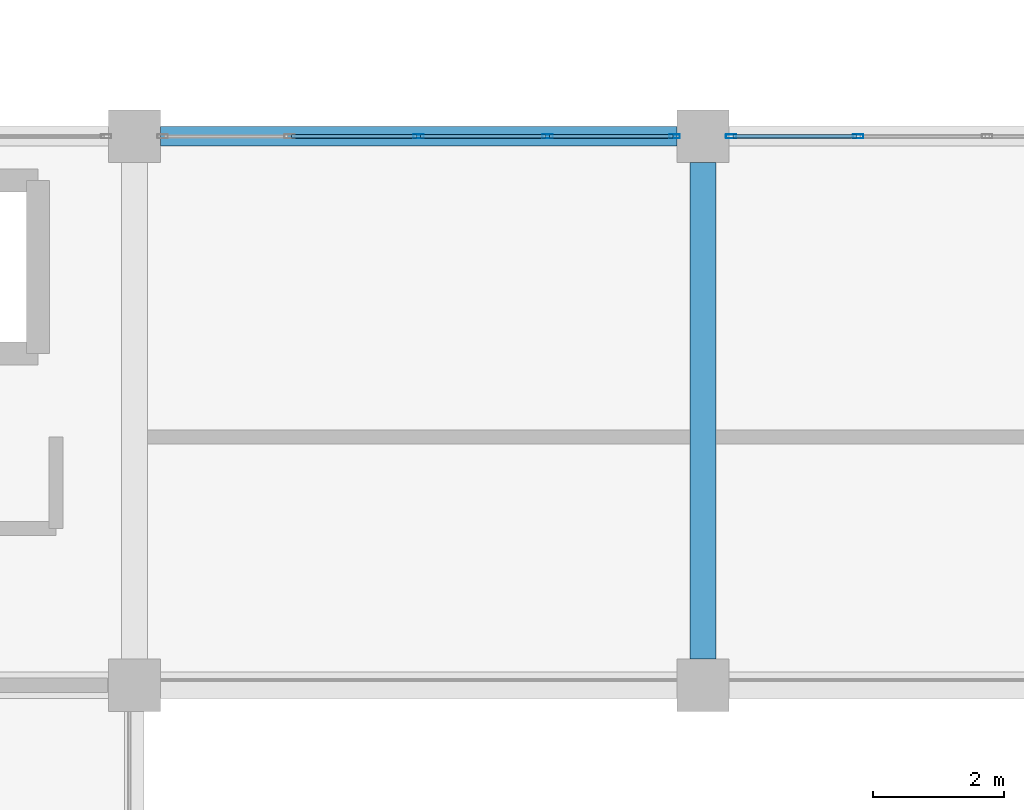
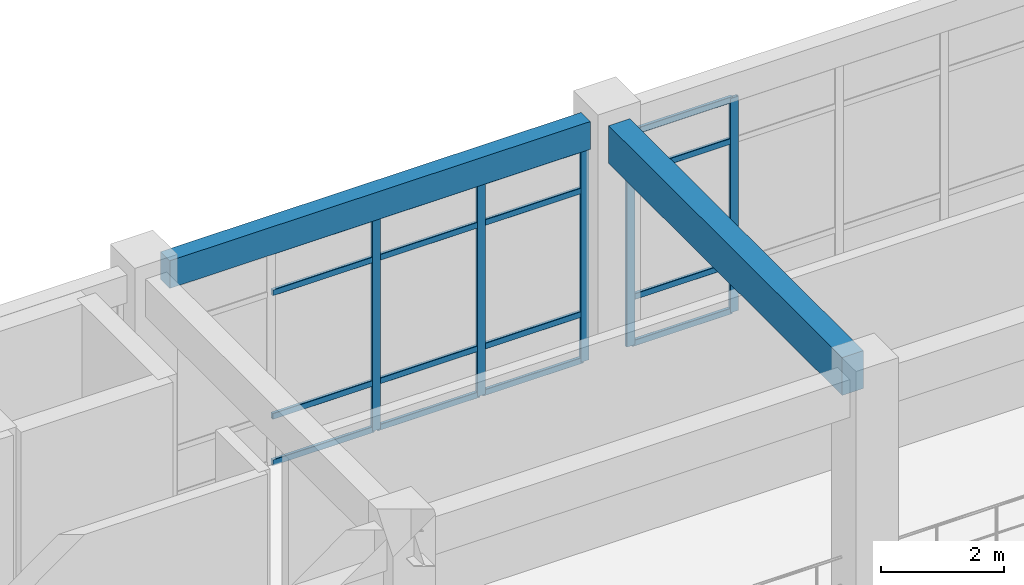
# One storey, part 46 of 96: 21 members, 2 beams, 2 elements without a shape of their own.
"""IFC4 building model written with IfcOpenShell, lengths in metres."""

from ifc_helpers import new_model, si_unit, derived_unit, direction, frame, origin, origin_2d, place, context, subcontext, project, spatial, rectangle, hollow_rectangle, extrude, material, layer, layer_set, material_profile, profile_set, type_object, element, aggregate, save


model = new_model("IFC4")

# Units and contexts
model_context = context("Model", 3, precision=1e-05, world=origin(), true_north=direction((0.0, 1.0)))
body_context = subcontext(model_context, "Body", "Model", "MODEL_VIEW")
ifc_project = project(units=[si_unit("LENGTHUNIT", "METRE"), si_unit("AREAUNIT", "SQUARE_METRE"), si_unit("VOLUMEUNIT", "CUBIC_METRE"), si_unit("PLANEANGLEUNIT", "RADIAN"), si_unit("MASSUNIT", "GRAM", prefix="KILO"), derived_unit("THERMALTRANSMITTANCEUNIT", [(si_unit("MASSUNIT", "GRAM", prefix="KILO"), 1), (si_unit("TIMEUNIT", "SECOND"), -3), (si_unit("THERMODYNAMICTEMPERATUREUNIT", "KELVIN"), -1)])], contexts=[model_context])

# Site, building, storey
site_placement = place(None, origin())
site = spatial("IfcSite", under=ifc_project, at=site_placement, CompositionType="ELEMENT")
building_placement = place(site_placement, origin())
building = spatial("IfcBuilding", under=site, at=building_placement, Name="Qinzheling Arcade Emporium", CompositionType="ELEMENT")
storey_placement = place(building_placement, frame((0.0, 0.0, 21.60009765625)))
storey = spatial("IfcBuildingStorey", under=building, at=storey_placement, Name="L05", CompositionType="ELEMENT", Elevation=21.60009765625)

# Curtain wall, members
ifc_material_1 = material(Name="Anodised aluminium and solar-control double glazing", Category="aluminium")
ifc_layer = layer(ifc_material_1, 0.159912109375, Name="Anodised aluminium and solar-control double glazing", Category="aluminium")
ifc_layer_set = layer_set([ifc_layer], Name="Anodised aluminium and solar-control double glazing")
curtain_wall_type = type_object("IfcCurtainWallType", Name="Atrium Clerestory Curtain Wall", PredefinedType="NOTDEFINED", material=ifc_layer_set)
curtain_wall_1_placement = place(storey_placement, origin())
curtain_wall_1 = element("IfcCurtainWall", 1, at=curtain_wall_1_placement, inside=storey, type_object=curtain_wall_type, Name="Curtain Wall CW-L05-320", PredefinedType="NOTDEFINED")
ifc_material_2 = material(Name="Anodised aluminium 6063-T6", Category="aluminium")
ifc_material_profile_1 = material_profile(ifc_material_2, hollow_rectangle(XDim=0.06005859375, YDim=0.159912109375, WallThickness=0.00390625, InnerFilletRadius=0.00390625, OuterFilletRadius=0.008056640625, at=origin_2d()), Name="RHS 160x60x4", Category="aluminium")
ifc_profile_set_1 = profile_set([ifc_material_profile_1], Name="Anodised aluminium 6063-T6")
member_type_1 = type_object("IfcMemberType", Name="Curtain Wall Mullion RHS160x60", PredefinedType="MULLION", material=ifc_profile_set_1)
member_1_placement = place(storey_placement, frame((56.550048828125, 73.800048828125, 0.0), z_axis=(0.0, 0.0, 1.0), x_axis=(0.0, 1.0, 0.0)))
member_1 = element("IfcMember", 2, at=member_1_placement, type_object=member_type_1, Name="CW03 mullion 3", PredefinedType="MULLION", context=body_context, shape_type="SweptSolid", body=[
    extrude(hollow_rectangle(XDim=0.06005859375, YDim=0.159912109375, WallThickness=0.00390625, InnerFilletRadius=0.00390625, OuterFilletRadius=0.008056640625, at=origin_2d()), origin(), (0.0, 0.0, 1.0), 4.2548828125),
])
member_2_placement = place(storey_placement, frame((58.52392578125, 73.800048828125, 0.0), z_axis=(0.0, 0.0, 1.0), x_axis=(0.0, 1.0, 0.0)))
member_2 = element("IfcMember", 3, at=member_2_placement, type_object=member_type_1, Name="CW03 mullion 4", PredefinedType="MULLION", context=body_context, shape_type="SweptSolid", body=[
    extrude(hollow_rectangle(XDim=0.06005859375, YDim=0.159912109375, WallThickness=0.00390625, InnerFilletRadius=0.00390625, OuterFilletRadius=0.008056640625, at=origin_2d()), origin(), (0.0, 0.0, 1.0), 4.2548828125),
])
member_3_placement = place(storey_placement, frame((60.468017578125, 73.800048828125, 0.0), z_axis=(0.0, 0.0, 1.0), x_axis=(0.0, 1.0, 0.0)))
member_3 = element("IfcMember", 4, at=member_3_placement, type_object=member_type_1, Name="CW03 mullion 5", PredefinedType="MULLION", context=body_context, shape_type="SweptSolid", body=[
    extrude(hollow_rectangle(XDim=0.06005859375, YDim=0.159912109375, WallThickness=0.00390625, InnerFilletRadius=0.00390625, OuterFilletRadius=0.008056640625, at=origin_2d()), origin(), (0.0, 0.0, 1.0), 4.2548828125),
])

curtain_wall_2_placement = place(storey_placement, origin())
curtain_wall_2 = element("IfcCurtainWall", 5, at=curtain_wall_2_placement, inside=storey, type_object=curtain_wall_type, Name="Curtain Wall CW-L05-321", PredefinedType="NOTDEFINED")
member_4_placement = place(storey_placement, frame((61.33203125, 73.800048828125, 0.0), z_axis=(0.0, 0.0, 1.0), x_axis=(0.0, 1.0, 0.0)))
member_4 = element("IfcMember", 6, at=member_4_placement, type_object=member_type_1, Name="CW03 mullion 1", PredefinedType="MULLION", context=body_context, shape_type="SweptSolid", body=[
    extrude(hollow_rectangle(XDim=0.06005859375, YDim=0.159912109375, WallThickness=0.00390625, InnerFilletRadius=0.00390625, OuterFilletRadius=0.008056640625, at=origin_2d()), origin(), (0.0, 0.0, 1.0), 4.2548828125),
])
member_5_placement = place(storey_placement, frame((63.27587890625, 73.800048828125, 0.0), z_axis=(0.0, 0.0, 1.0), x_axis=(0.0, 1.0, 0.0)))
member_5 = element("IfcMember", 7, at=member_5_placement, type_object=member_type_1, Name="CW03 mullion 2", PredefinedType="MULLION", context=body_context, shape_type="SweptSolid", body=[
    extrude(hollow_rectangle(XDim=0.06005859375, YDim=0.159912109375, WallThickness=0.00390625, InnerFilletRadius=0.00390625, OuterFilletRadius=0.008056640625, at=origin_2d()), origin(), (0.0, 0.0, 1.0), 4.2548828125),
])

# Member
ifc_material_profile_2 = material_profile(ifc_material_2, hollow_rectangle(XDim=0.06005859375, YDim=0.1201171875, WallThickness=0.00390625, InnerFilletRadius=0.00390625, OuterFilletRadius=0.008056640625, at=origin_2d()), Name="RHS 120x60x4", Category="aluminium")
ifc_profile_set_2 = profile_set([ifc_material_profile_2], Name="Anodised aluminium 6063-T6")
member_type_2 = type_object("IfcMemberType", Name="Curtain Wall Transom RHS120x60", PredefinedType="USERDEFINED", material=ifc_profile_set_2)
member_6_placement = place(storey_placement, frame((54.60595703125, 73.800048828125, 0.02978515625), z_axis=(1.0, 0.0, 0.0), x_axis=(0.0, 1.0, 0.0)))
member_6 = element("IfcMember", 8, at=member_6_placement, type_object=member_type_2, Name="CW03 transom 2.1", ObjectType="TRANSOM", PredefinedType="USERDEFINED", context=body_context, shape_type="SweptSolid", body=[
    extrude(hollow_rectangle(XDim=0.06005859375, YDim=0.1201171875, WallThickness=0.00390625, InnerFilletRadius=0.00390625, OuterFilletRadius=0.008056640625, at=origin_2d()), origin(), (0.0, 0.0, 1.0), 1.9140625),
])

member_7_placement = place(storey_placement, frame((54.60595703125, 73.800048828125, 0.949951171875), z_axis=(1.0, 0.0, 0.0), x_axis=(0.0, 1.0, 0.0)))
member_7 = element("IfcMember", 9, at=member_7_placement, type_object=member_type_2, Name="CW03 transom 2.2", ObjectType="TRANSOM", PredefinedType="USERDEFINED", context=body_context, shape_type="SweptSolid", body=[
    extrude(hollow_rectangle(XDim=0.06005859375, YDim=0.1201171875, WallThickness=0.00390625, InnerFilletRadius=0.00390625, OuterFilletRadius=0.008056640625, at=origin_2d()), origin(), (0.0, 0.0, 1.0), 1.9140625),
])

member_8_placement = place(storey_placement, frame((54.60595703125, 73.800048828125, 3.40478515625), z_axis=(1.0, 0.0, 0.0), x_axis=(0.0, 1.0, 0.0)))
member_8 = element("IfcMember", 10, at=member_8_placement, type_object=member_type_2, Name="CW03 transom 2.3", ObjectType="TRANSOM", PredefinedType="USERDEFINED", context=body_context, shape_type="SweptSolid", body=[
    extrude(hollow_rectangle(XDim=0.06005859375, YDim=0.1201171875, WallThickness=0.00390625, InnerFilletRadius=0.00390625, OuterFilletRadius=0.008056640625, at=origin_2d()), origin(), (0.0, 0.0, 1.0), 1.9140625),
])

member_9_placement = place(storey_placement, frame((54.60595703125, 73.800048828125, 4.224853515625), z_axis=(1.0, 0.0, 0.0), x_axis=(0.0, 1.0, 0.0)))
member_9 = element("IfcMember", 11, at=member_9_placement, type_object=member_type_2, Name="CW03 transom 2.4", ObjectType="TRANSOM", PredefinedType="USERDEFINED", context=body_context, shape_type="SweptSolid", body=[
    extrude(hollow_rectangle(XDim=0.06005859375, YDim=0.1201171875, WallThickness=0.00390625, InnerFilletRadius=0.00390625, OuterFilletRadius=0.008056640625, at=origin_2d()), origin(), (0.0, 0.0, 1.0), 1.9140625),
])

member_10_placement = place(storey_placement, frame((56.580078125, 73.800048828125, 0.02978515625), z_axis=(1.0, 0.0, 0.0), x_axis=(0.0, 1.0, 0.0)))
member_10 = element("IfcMember", 12, at=member_10_placement, type_object=member_type_2, Name="CW03 transom 3.1", ObjectType="TRANSOM", PredefinedType="USERDEFINED", context=body_context, shape_type="SweptSolid", body=[
    extrude(hollow_rectangle(XDim=0.06005859375, YDim=0.1201171875, WallThickness=0.00390625, InnerFilletRadius=0.00390625, OuterFilletRadius=0.008056640625, at=origin_2d()), origin(), (0.0, 0.0, 1.0), 1.913818359375),
])

member_11_placement = place(storey_placement, frame((56.580078125, 73.800048828125, 0.949951171875), z_axis=(1.0, 0.0, 0.0), x_axis=(0.0, 1.0, 0.0)))
member_11 = element("IfcMember", 13, at=member_11_placement, type_object=member_type_2, Name="CW03 transom 3.2", ObjectType="TRANSOM", PredefinedType="USERDEFINED", context=body_context, shape_type="SweptSolid", body=[
    extrude(hollow_rectangle(XDim=0.06005859375, YDim=0.1201171875, WallThickness=0.00390625, InnerFilletRadius=0.00390625, OuterFilletRadius=0.008056640625, at=origin_2d()), origin(), (0.0, 0.0, 1.0), 1.913818359375),
])

member_12_placement = place(storey_placement, frame((56.580078125, 73.800048828125, 3.40478515625), z_axis=(1.0, 0.0, 0.0), x_axis=(0.0, 1.0, 0.0)))
member_12 = element("IfcMember", 14, at=member_12_placement, type_object=member_type_2, Name="CW03 transom 3.3", ObjectType="TRANSOM", PredefinedType="USERDEFINED", context=body_context, shape_type="SweptSolid", body=[
    extrude(hollow_rectangle(XDim=0.06005859375, YDim=0.1201171875, WallThickness=0.00390625, InnerFilletRadius=0.00390625, OuterFilletRadius=0.008056640625, at=origin_2d()), origin(), (0.0, 0.0, 1.0), 1.913818359375),
])

member_13_placement = place(storey_placement, frame((56.580078125, 73.800048828125, 4.224853515625), z_axis=(1.0, 0.0, 0.0), x_axis=(0.0, 1.0, 0.0)))
member_13 = element("IfcMember", 15, at=member_13_placement, type_object=member_type_2, Name="CW03 transom 3.4", ObjectType="TRANSOM", PredefinedType="USERDEFINED", context=body_context, shape_type="SweptSolid", body=[
    extrude(hollow_rectangle(XDim=0.06005859375, YDim=0.1201171875, WallThickness=0.00390625, InnerFilletRadius=0.00390625, OuterFilletRadius=0.008056640625, at=origin_2d()), origin(), (0.0, 0.0, 1.0), 1.913818359375),
])

member_14_placement = place(storey_placement, frame((58.553955078125, 73.800048828125, 0.02978515625), z_axis=(1.0, 0.0, 0.0), x_axis=(0.0, 1.0, 0.0)))
member_14 = element("IfcMember", 16, at=member_14_placement, type_object=member_type_2, Name="CW03 transom 4.1", ObjectType="TRANSOM", PredefinedType="USERDEFINED", context=body_context, shape_type="SweptSolid", body=[
    extrude(hollow_rectangle(XDim=0.06005859375, YDim=0.1201171875, WallThickness=0.00390625, InnerFilletRadius=0.00390625, OuterFilletRadius=0.008056640625, at=origin_2d()), origin(), (0.0, 0.0, 1.0), 1.884033203125),
])

member_15_placement = place(storey_placement, frame((58.553955078125, 73.800048828125, 0.949951171875), z_axis=(1.0, 0.0, 0.0), x_axis=(0.0, 1.0, 0.0)))
member_15 = element("IfcMember", 17, at=member_15_placement, type_object=member_type_2, Name="CW03 transom 4.2", ObjectType="TRANSOM", PredefinedType="USERDEFINED", context=body_context, shape_type="SweptSolid", body=[
    extrude(hollow_rectangle(XDim=0.06005859375, YDim=0.1201171875, WallThickness=0.00390625, InnerFilletRadius=0.00390625, OuterFilletRadius=0.008056640625, at=origin_2d()), origin(), (0.0, 0.0, 1.0), 1.884033203125),
])

member_16_placement = place(storey_placement, frame((58.553955078125, 73.800048828125, 3.40478515625), z_axis=(1.0, 0.0, 0.0), x_axis=(0.0, 1.0, 0.0)))
member_16 = element("IfcMember", 18, at=member_16_placement, type_object=member_type_2, Name="CW03 transom 4.3", ObjectType="TRANSOM", PredefinedType="USERDEFINED", context=body_context, shape_type="SweptSolid", body=[
    extrude(hollow_rectangle(XDim=0.06005859375, YDim=0.1201171875, WallThickness=0.00390625, InnerFilletRadius=0.00390625, OuterFilletRadius=0.008056640625, at=origin_2d()), origin(), (0.0, 0.0, 1.0), 1.884033203125),
])

member_17_placement = place(storey_placement, frame((58.553955078125, 73.800048828125, 4.224853515625), z_axis=(1.0, 0.0, 0.0), x_axis=(0.0, 1.0, 0.0)))
member_17 = element("IfcMember", 19, at=member_17_placement, type_object=member_type_2, Name="CW03 transom 4.4", ObjectType="TRANSOM", PredefinedType="USERDEFINED", context=body_context, shape_type="SweptSolid", body=[
    extrude(hollow_rectangle(XDim=0.06005859375, YDim=0.1201171875, WallThickness=0.00390625, InnerFilletRadius=0.00390625, OuterFilletRadius=0.008056640625, at=origin_2d()), origin(), (0.0, 0.0, 1.0), 1.884033203125),
])

aggregate(curtain_wall_1, [member_1, member_2, member_3, member_6, member_7, member_8, member_9, member_10, member_11, member_12, member_13, member_14, member_15, member_16, member_17])

member_18_placement = place(storey_placement, frame((61.362060546875, 73.800048828125, 0.02978515625), z_axis=(1.0, 0.0, 0.0), x_axis=(0.0, 1.0, 0.0)))
member_18 = element("IfcMember", 20, at=member_18_placement, type_object=member_type_2, Name="CW03 transom 1.1", ObjectType="TRANSOM", PredefinedType="USERDEFINED", context=body_context, shape_type="SweptSolid", body=[
    extrude(hollow_rectangle(XDim=0.06005859375, YDim=0.1201171875, WallThickness=0.00390625, InnerFilletRadius=0.00390625, OuterFilletRadius=0.008056640625, at=origin_2d()), origin(), (0.0, 0.0, 1.0), 1.884033203125),
])

member_19_placement = place(storey_placement, frame((61.362060546875, 73.800048828125, 0.949951171875), z_axis=(1.0, 0.0, 0.0), x_axis=(0.0, 1.0, 0.0)))
member_19 = element("IfcMember", 21, at=member_19_placement, type_object=member_type_2, Name="CW03 transom 1.2", ObjectType="TRANSOM", PredefinedType="USERDEFINED", context=body_context, shape_type="SweptSolid", body=[
    extrude(hollow_rectangle(XDim=0.06005859375, YDim=0.1201171875, WallThickness=0.00390625, InnerFilletRadius=0.00390625, OuterFilletRadius=0.008056640625, at=origin_2d()), origin(), (0.0, 0.0, 1.0), 1.884033203125),
])

member_20_placement = place(storey_placement, frame((61.362060546875, 73.800048828125, 3.40478515625), z_axis=(1.0, 0.0, 0.0), x_axis=(0.0, 1.0, 0.0)))
member_20 = element("IfcMember", 22, at=member_20_placement, type_object=member_type_2, Name="CW03 transom 1.3", ObjectType="TRANSOM", PredefinedType="USERDEFINED", context=body_context, shape_type="SweptSolid", body=[
    extrude(hollow_rectangle(XDim=0.06005859375, YDim=0.1201171875, WallThickness=0.00390625, InnerFilletRadius=0.00390625, OuterFilletRadius=0.008056640625, at=origin_2d()), origin(), (0.0, 0.0, 1.0), 1.884033203125),
])

member_21_placement = place(storey_placement, frame((61.362060546875, 73.800048828125, 4.224853515625), z_axis=(1.0, 0.0, 0.0), x_axis=(0.0, 1.0, 0.0)))
member_21 = element("IfcMember", 23, at=member_21_placement, type_object=member_type_2, Name="CW03 transom 1.4", ObjectType="TRANSOM", PredefinedType="USERDEFINED", context=body_context, shape_type="SweptSolid", body=[
    extrude(hollow_rectangle(XDim=0.06005859375, YDim=0.1201171875, WallThickness=0.00390625, InnerFilletRadius=0.00390625, OuterFilletRadius=0.008056640625, at=origin_2d()), origin(), (0.0, 0.0, 1.0), 1.884033203125),
])

aggregate(curtain_wall_2, [member_4, member_5, member_18, member_19, member_20, member_21])

# Beams
ifc_material_3 = material(Name="Concrete C40", Category="concrete")
ifc_material_profile_3 = material_profile(ifc_material_3, rectangle(XDim=0.39990234375, YDim=0.75, at=origin_2d()), Name="RC 400x750", Category="concrete")
ifc_profile_set_3 = profile_set([ifc_material_profile_3], Name="Concrete C40")
beam_type_1 = type_object("IfcBeamType", Name="RC Interior Tie Beam 400x750 C40", PredefinedType="BEAM", material=ifc_profile_set_3)
beam_1_placement = place(storey_placement, frame((60.89990234375, 65.800048828125, 4.44482421875), z_axis=(0.0, 1.0, 0.0), x_axis=(-1.0, 0.0, 0.0)))
element("IfcBeam", 24, at=beam_1_placement, inside=storey, type_object=beam_type_1, Name="Beam BM-L05-Y-8-H", PredefinedType="BEAM", context=body_context, shape_type="SweptSolid", body=[
    extrude(rectangle(XDim=0.39990234375, YDim=0.75, at=origin_2d()), origin(), (0.0, 0.0, 1.0), 7.599853515625),
])
ifc_material_profile_4 = material_profile(ifc_material_3, rectangle(XDim=0.300048828125, YDim=0.550048828125, at=origin_2d()), Name="RC 300x550", Category="concrete")
ifc_profile_set_4 = profile_set([ifc_material_profile_4], Name="Concrete C40")
beam_type_2 = type_object("IfcBeamType", Name="RC Terrace Spandrel Beam 300x550 C40", PredefinedType="SPANDREL", material=ifc_profile_set_4)
beam_2_placement = place(storey_placement, frame((52.60009765625, 73.800048828125, 4.544921875), z_axis=(1.0, 0.0, 0.0), x_axis=(0.0, 1.0, 0.0)))
element("IfcBeam", 25, at=beam_2_placement, inside=storey, type_object=beam_type_2, Name="Beam BM-L05-X-J-7", PredefinedType="SPANDREL", context=body_context, shape_type="SweptSolid", body=[
    extrude(rectangle(XDim=0.300048828125, YDim=0.550048828125, at=origin_2d()), origin(), (0.0, 0.0, 1.0), 7.89990234375),
])

save(model, "model.ifc")
